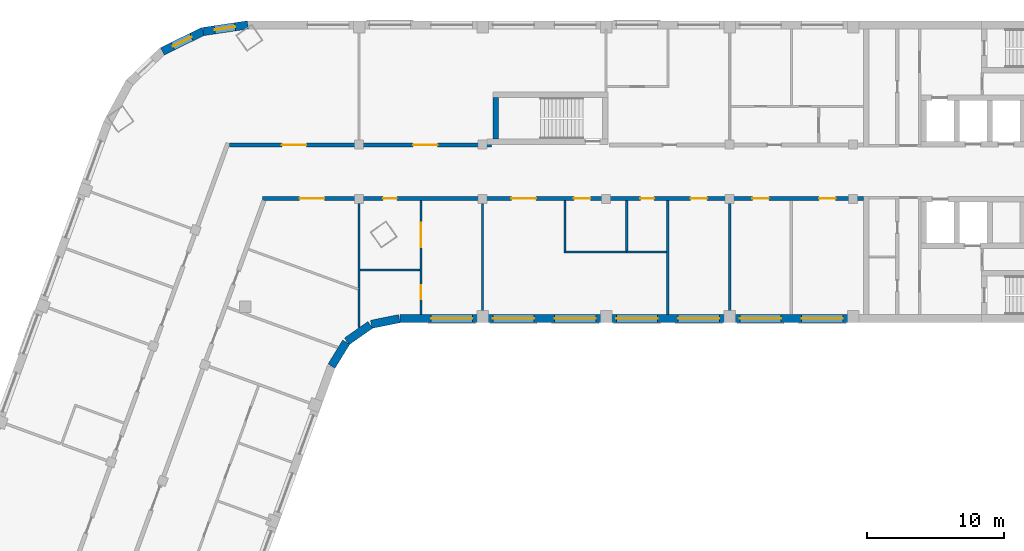
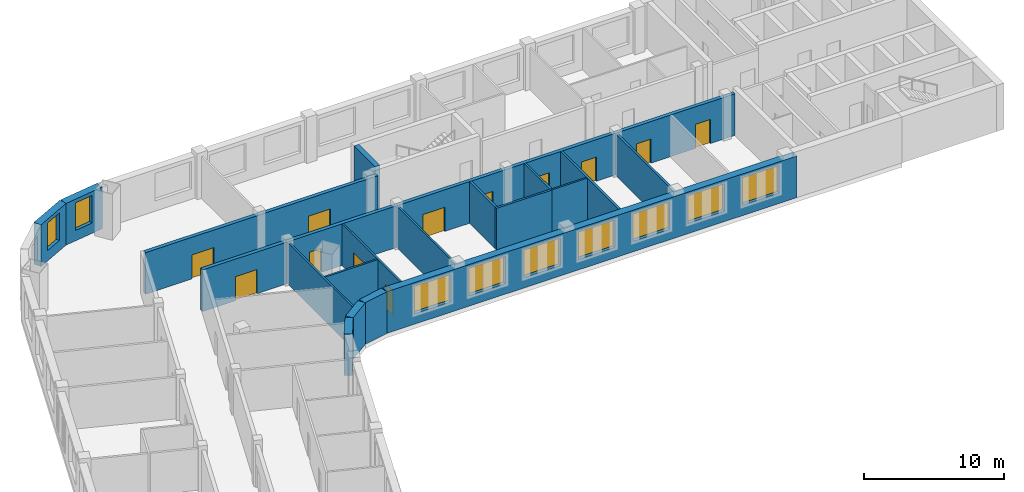
# One storey, part 4 of 8: 19 walls, 12 doors, 9 windows, 21 openings.
"""IFC4 building model written with IfcOpenShell, lengths in metres."""

from ifc_helpers import new_model, si_unit, direction, frame, frame_2d, origin, place, context, subcontext, project, spatial, rectangle, extrude, material, layer, layer_set, type_object, element, fill, save


model = new_model("IFC4")

# Units and contexts
model_context = context("Model", 3, precision=1e-05, world=origin(), true_north=direction((0.0, 1.0)))
body_context = subcontext(model_context, "Body", "Model", "MODEL_VIEW")
ifc_project = project(units=[si_unit("LENGTHUNIT", "METRE"), si_unit("AREAUNIT", "SQUARE_METRE"), si_unit("VOLUMEUNIT", "CUBIC_METRE"), si_unit("PLANEANGLEUNIT", "RADIAN"), si_unit("MASSUNIT", "GRAM", prefix="KILO")], contexts=[model_context])

# Site, building, storey
site_placement = place(None, origin())
site = spatial("IfcSite", under=ifc_project, at=site_placement, CompositionType="ELEMENT")
building_placement = place(site_placement, origin())
building = spatial("IfcBuilding", under=site, at=building_placement, Name="Skarvind Civic Tower", CompositionType="ELEMENT")
storey_placement = place(building_placement, frame((0.0, 0.0, 125.0)))
storey = spatial("IfcBuildingStorey", under=building, at=storey_placement, Name="L29", CompositionType="ELEMENT", Elevation=125.0)

# Walls
ifc_material_1 = material(Name="Acoustic gypsum board on steel studs", Category="steel")
ifc_layer_1 = layer(ifc_material_1, 0.175048828125)
ifc_layer_set_1 = layer_set([ifc_layer_1], Name="ACOUSTIC MEETING-ROOM PARTITION 175")
wall_type_1 = type_object("IfcWallType", Name="ACOUSTIC MEETING-ROOM PARTITION 175", PredefinedType="PARTITIONING", material=ifc_layer_set_1)
wall_1_placement = place(storey_placement, frame((69.25, 122.238037109375, 0.0), z_axis=(0.0, 0.0, 1.0), x_axis=(0.0, 1.0, 0.0)))
element("IfcWall", 1, at=wall_1_placement, inside=storey, type_object=wall_type_1, Name="Partition 29.023", PredefinedType="PARTITIONING", context=body_context, shape_type="SweptSolid", body=[
    extrude(rectangle(XDim=3.661865234375, YDim=0.175048828125, at=frame_2d((1.8310546875, 0.0))), origin(), (0.0, 0.0, 1.0), 3.625),
])
wall_2_placement = place(storey_placement, frame((73.75, 122.14990234375, 0.0), z_axis=(0.0, 0.0, 1.0), x_axis=(-1.0, 0.0, 0.0)))
element("IfcWall", 2, at=wall_2_placement, inside=storey, type_object=wall_type_1, Name="Partition 29.027", PredefinedType="PARTITIONING", context=body_context, shape_type="SweptSolid", body=[
    extrude(rectangle(XDim=4.587890625, YDim=0.175048828125, at=frame_2d((2.2939453125, 0.0))), origin(), (0.0, 0.0, 1.0), 3.625),
])
wall_3_placement = place(storey_placement, frame((73.75, 125.89990234375, 0.0), z_axis=(0.0, 0.0, 1.0), x_axis=(0.0, -1.0, 0.0)))
element("IfcWall", 3, at=wall_3_placement, inside=storey, type_object=wall_type_1, Name="Partition 29.028", PredefinedType="PARTITIONING", context=body_context, shape_type="SweptSolid", body=[
    extrude(rectangle(XDim=3.661865234375, YDim=0.175048828125, at=frame_2d((1.8310546875, 0.0))), origin(), (0.0, 0.0, 1.0), 3.625),
])
for number, where, z_axis, x_axis, name in (
    (4, (76.75, 117.60009765625, 0.0), (0.0, 0.0, 1.0), (0.0, 1.0, 0.0), "Partition 29.029"),
    (5, (81.25, 117.60009765625, 0.0), (0.0, 0.0, 1.0), (0.0, 1.0, 0.0), "Partition 29.032"),
):
    element("IfcWall", number, at=place(storey_placement, frame(where, z_axis=z_axis, x_axis=x_axis)), inside=storey, type_object=wall_type_1, Name=name, PredefinedType="PARTITIONING", context=body_context, shape_type="SweptSolid", body=[
        extrude(rectangle(XDim=8.2998046875, YDim=0.175048828125, at=frame_2d((4.14990234375, 0.0))), origin(), (0.0, 0.0, 1.0), 3.625),
    ])

# Wall, openings, doors
ifc_material_2 = material(Name="Fire-rated gypsum board on steel studs", Category="steel")
ifc_layer_2 = layer(ifc_material_2, 0.300048828125)
ifc_layer_set_2 = layer_set([ifc_layer_2], Name="CORRIDOR WALL 300")
wall_type_2 = type_object("IfcWallType", Name="CORRIDOR WALL 300", PredefinedType="PARTITIONING", material=ifc_layer_set_2)
wall_4_placement = place(storey_placement, frame((44.784912109375, 129.949951171875, 0.0), z_axis=(0.0, 0.0, 1.0), x_axis=(1.0, 0.0, 0.0)))
wall_4 = element("IfcWall", 6, at=wall_4_placement, inside=storey, type_object=wall_type_2, Name="Partition 29.014", PredefinedType="PARTITIONING", context=body_context, shape_type="SweptSolid", body=[
    extrude(rectangle(XDim=19.114990234375, YDim=0.300048828125, at=frame_2d((9.5576171875, 0.0))), origin(), (0.0, 0.0, 1.0), 3.625),
])
opening_1_placement = place(wall_4_placement, frame((13.389892578125, 0.0, 0.0)))
opening_1 = element("IfcOpeningElement", 7, at=opening_1_placement, cuts=wall_4, Name="Opening L29-D007", PredefinedType="OPENING", context=body_context, shape_type="SweptSolid", body=[
    extrude(rectangle(XDim=1.800048828125, YDim=2.10009765625, at=frame_2d((0.89990234375, 1.050048828125))), frame((0.0, 0.159912109375, 0.0), z_axis=(0.0, -1.0, 0.0), x_axis=(1.0, 0.0, 0.0)), (0.0, 0.0, 1.0), 0.320068359375),
])
opening_2_placement = place(wall_4_placement, frame((3.822509765625, 0.0, 0.0)))
opening_2 = element("IfcOpeningElement", 8, at=opening_2_placement, cuts=wall_4, Name="Opening L29-D028", PredefinedType="OPENING", context=body_context, shape_type="SweptSolid", body=[
    extrude(rectangle(XDim=1.800048828125, YDim=2.10009765625, at=frame_2d((0.89990234375, 1.050048828125))), frame((0.0, 0.159912109375, 0.0), z_axis=(0.0, -1.0, 0.0), x_axis=(1.0, 0.0, 0.0)), (0.0, 0.0, 1.0), 0.320068359375),
])
ifc_material_3 = material(Name="Fire-rated timber door leaf", Category="wood")
door_type_1 = type_object("IfcDoorType", Name="FD4 1800x2100", OperationType="NOTDEFINED", PredefinedType="DOOR", material=ifc_material_3)
door_1_placement = place(opening_1_placement, origin())
door_1 = element("IfcDoor", 9, at=door_1_placement, inside=storey, type_object=door_type_1, Name="Door L29-D007", OperationType="DOUBLE_DOOR_SINGLE_SWING", OverallHeight=2.10009765625, OverallWidth=1.800048828125, PredefinedType="DOOR", context=body_context, shape_type="SweptSolid", body=[
    extrude(rectangle(XDim=1.800048828125, YDim=2.10009765625, at=frame_2d((0.89990234375, 1.050048828125))), frame((0.0, 0.02490234375, 0.0), z_axis=(0.0, -1.0, 0.0), x_axis=(1.0, 0.0, 0.0)), (0.0, 0.0, 1.0), 0.050048828125),
])
fill(opening_1, door_1)
door_2_placement = place(opening_2_placement, origin())
door_2 = element("IfcDoor", 10, at=door_2_placement, inside=storey, type_object=door_type_1, Name="Door L29-D028", OperationType="DOUBLE_DOOR_SINGLE_SWING", OverallHeight=2.10009765625, OverallWidth=1.800048828125, PredefinedType="DOOR", context=body_context, shape_type="SweptSolid", body=[
    extrude(rectangle(XDim=1.800048828125, YDim=2.10009765625, at=frame_2d((0.89990234375, 1.050048828125))), frame((0.0, 0.02490234375, 0.0), z_axis=(0.0, -1.0, 0.0), x_axis=(1.0, 0.0, 0.0)), (0.0, 0.0, 1.0), 0.050048828125),
])
fill(opening_2, door_2)

wall_5_placement = place(storey_placement, frame((91.0, 126.050048828125, 0.0), z_axis=(0.0, 0.0, 1.0), x_axis=(-1.0, 0.0, 0.0)))
wall_5 = element("IfcWall", 11, at=wall_5_placement, inside=storey, type_object=wall_type_2, Name="Partition 29.038", PredefinedType="PARTITIONING", context=body_context, shape_type="SweptSolid", body=[
    extrude(rectangle(XDim=43.784912109375, YDim=0.300048828125, at=frame_2d((21.892578125, 0.0))), origin(), (0.0, 0.0, 1.0), 3.625),
])
opening_3_placement = place(wall_5_placement, frame((2.02490234375, 0.0, 0.0)))
opening_3 = element("IfcOpeningElement", 12, at=opening_3_placement, cuts=wall_5, Name="Opening L29-D008", PredefinedType="OPENING", context=body_context, shape_type="SweptSolid", body=[
    extrude(rectangle(XDim=1.199951171875, YDim=2.10009765625, at=frame_2d((0.60009765625, 1.050048828125))), frame((0.0, 0.159912109375, 0.0), z_axis=(0.0, -1.0, 0.0), x_axis=(1.0, 0.0, 0.0)), (0.0, 0.0, 1.0), 0.320068359375),
])
opening_4_placement = place(wall_5_placement, frame((6.89990234375, 0.0, 0.0)))
opening_4 = element("IfcOpeningElement", 13, at=opening_4_placement, cuts=wall_5, Name="Opening L29-D009", PredefinedType="OPENING", context=body_context, shape_type="SweptSolid", body=[
    extrude(rectangle(XDim=1.199951171875, YDim=2.10009765625, at=frame_2d((0.60009765625, 1.050048828125))), frame((0.0, 0.159912109375, 0.0), z_axis=(0.0, -1.0, 0.0), x_axis=(1.0, 0.0, 0.0)), (0.0, 0.0, 1.0), 0.320068359375),
])
opening_5_placement = place(wall_5_placement, frame((11.39990234375, 0.0, 0.0)))
opening_5 = element("IfcOpeningElement", 14, at=opening_5_placement, cuts=wall_5, Name="Opening L29-D010", PredefinedType="OPENING", context=body_context, shape_type="SweptSolid", body=[
    extrude(rectangle(XDim=1.199951171875, YDim=2.10009765625, at=frame_2d((0.60009765625, 1.050048828125))), frame((0.0, 0.159912109375, 0.0), z_axis=(0.0, -1.0, 0.0), x_axis=(1.0, 0.0, 0.0)), (0.0, 0.0, 1.0), 0.320068359375),
])
opening_6_placement = place(wall_5_placement, frame((15.25, 0.0, 0.0)))
opening_6 = element("IfcOpeningElement", 15, at=opening_6_placement, cuts=wall_5, Name="Opening L29-D011", PredefinedType="OPENING", context=body_context, shape_type="SweptSolid", body=[
    extrude(rectangle(XDim=1.0, YDim=2.10009765625, at=frame_2d((0.5, 1.050048828125))), frame((0.0, 0.159912109375, 0.0), z_axis=(0.0, -1.0, 0.0), x_axis=(1.0, 0.0, 0.0)), (0.0, 0.0, 1.0), 0.320068359375),
])
opening_7_placement = place(wall_5_placement, frame((19.89990234375, 0.0, 0.0)))
opening_7 = element("IfcOpeningElement", 16, at=opening_7_placement, cuts=wall_5, Name="Opening L29-D012", PredefinedType="OPENING", context=body_context, shape_type="SweptSolid", body=[
    extrude(rectangle(XDim=1.199951171875, YDim=2.10009765625, at=frame_2d((0.60009765625, 1.050048828125))), frame((0.0, 0.159912109375, 0.0), z_axis=(0.0, -1.0, 0.0), x_axis=(1.0, 0.0, 0.0)), (0.0, 0.0, 1.0), 0.320068359375),
])
opening_8_placement = place(wall_5_placement, frame((23.85009765625, 0.0, 0.0)))
opening_8 = element("IfcOpeningElement", 17, at=opening_8_placement, cuts=wall_5, Name="Opening L29-D013", PredefinedType="OPENING", context=body_context, shape_type="SweptSolid", body=[
    extrude(rectangle(XDim=1.800048828125, YDim=2.10009765625, at=frame_2d((0.89990234375, 1.050048828125))), frame((0.0, 0.159912109375, 0.0), z_axis=(0.0, -1.0, 0.0), x_axis=(1.0, 0.0, 0.0)), (0.0, 0.0, 1.0), 0.320068359375),
])
opening_9_placement = place(wall_5_placement, frame((34.0, 0.0, 0.0)))
opening_9 = element("IfcOpeningElement", 18, at=opening_9_placement, cuts=wall_5, Name="Opening L29-D014", PredefinedType="OPENING", context=body_context, shape_type="SweptSolid", body=[
    extrude(rectangle(XDim=1.0, YDim=2.10009765625, at=frame_2d((0.5, 1.050048828125))), frame((0.0, 0.159912109375, 0.0), z_axis=(0.0, -1.0, 0.0), x_axis=(1.0, 0.0, 0.0)), (0.0, 0.0, 1.0), 0.320068359375),
])
opening_10_placement = place(wall_5_placement, frame((39.2958984375, 0.0, 0.0)))
opening_10 = element("IfcOpeningElement", 19, at=opening_10_placement, cuts=wall_5, Name="Opening L29-D029", PredefinedType="OPENING", context=body_context, shape_type="SweptSolid", body=[
    extrude(rectangle(XDim=1.800048828125, YDim=2.10009765625, at=frame_2d((0.89990234375, 1.050048828125))), frame((0.0, 0.159912109375, 0.0), z_axis=(0.0, -1.0, 0.0), x_axis=(1.0, 0.0, 0.0)), (0.0, 0.0, 1.0), 0.320068359375),
])
door_type_2 = type_object("IfcDoorType", Name="FD1 1000x2100", OperationType="NOTDEFINED", PredefinedType="DOOR", material=ifc_material_3)
door_3_placement = place(opening_6_placement, origin())
door_3 = element("IfcDoor", 20, at=door_3_placement, inside=storey, type_object=door_type_2, Name="Door L29-D011", OperationType="SINGLE_SWING_LEFT", OverallHeight=2.10009765625, OverallWidth=1.0, PredefinedType="DOOR", context=body_context, shape_type="SweptSolid", body=[
    extrude(rectangle(XDim=1.0, YDim=2.10009765625, at=frame_2d((0.5, 1.050048828125))), frame((0.0, 0.02490234375, 0.0), z_axis=(0.0, -1.0, 0.0), x_axis=(1.0, 0.0, 0.0)), (0.0, 0.0, 1.0), 0.050048828125),
])
fill(opening_6, door_3)
door_4_placement = place(opening_9_placement, origin())
door_4 = element("IfcDoor", 21, at=door_4_placement, inside=storey, type_object=door_type_2, Name="Door L29-D014", OperationType="SINGLE_SWING_LEFT", OverallHeight=2.10009765625, OverallWidth=1.0, PredefinedType="DOOR", context=body_context, shape_type="SweptSolid", body=[
    extrude(rectangle(XDim=1.0, YDim=2.10009765625, at=frame_2d((0.5, 1.050048828125))), frame((0.0, 0.02490234375, 0.0), z_axis=(0.0, -1.0, 0.0), x_axis=(1.0, 0.0, 0.0)), (0.0, 0.0, 1.0), 0.050048828125),
])
fill(opening_9, door_4)
door_5_placement = place(opening_8_placement, origin())
door_5 = element("IfcDoor", 22, at=door_5_placement, inside=storey, type_object=door_type_1, Name="Door L29-D013", OperationType="DOUBLE_DOOR_SINGLE_SWING", OverallHeight=2.10009765625, OverallWidth=1.800048828125, PredefinedType="DOOR", context=body_context, shape_type="SweptSolid", body=[
    extrude(rectangle(XDim=1.800048828125, YDim=2.10009765625, at=frame_2d((0.89990234375, 1.050048828125))), frame((0.0, 0.02490234375, 0.0), z_axis=(0.0, -1.0, 0.0), x_axis=(1.0, 0.0, 0.0)), (0.0, 0.0, 1.0), 0.050048828125),
])
fill(opening_8, door_5)
door_6_placement = place(opening_10_placement, origin())
door_6 = element("IfcDoor", 23, at=door_6_placement, inside=storey, type_object=door_type_1, Name="Door L29-D029", OperationType="DOUBLE_DOOR_SINGLE_SWING", OverallHeight=2.10009765625, OverallWidth=1.800048828125, PredefinedType="DOOR", context=body_context, shape_type="SweptSolid", body=[
    extrude(rectangle(XDim=1.800048828125, YDim=2.10009765625, at=frame_2d((0.89990234375, 1.050048828125))), frame((0.0, 0.02490234375, 0.0), z_axis=(0.0, -1.0, 0.0), x_axis=(1.0, 0.0, 0.0)), (0.0, 0.0, 1.0), 0.050048828125),
])
fill(opening_10, door_6)
door_type_3 = type_object("IfcDoorType", Name="FD6 1200x2100 DOUBLE", OperationType="NOTDEFINED", PredefinedType="DOOR", material=ifc_material_3)
door_7_placement = place(opening_3_placement, origin())
door_7 = element("IfcDoor", 24, at=door_7_placement, inside=storey, type_object=door_type_3, Name="Door L29-D008", OperationType="DOUBLE_DOOR_SINGLE_SWING", OverallHeight=2.10009765625, OverallWidth=1.199951171875, PredefinedType="DOOR", context=body_context, shape_type="SweptSolid", body=[
    extrude(rectangle(XDim=1.199951171875, YDim=2.10009765625, at=frame_2d((0.60009765625, 1.050048828125))), frame((0.0, 0.02490234375, 0.0), z_axis=(0.0, -1.0, 0.0), x_axis=(1.0, 0.0, 0.0)), (0.0, 0.0, 1.0), 0.050048828125),
])
fill(opening_3, door_7)
door_8_placement = place(opening_4_placement, origin())
door_8 = element("IfcDoor", 25, at=door_8_placement, inside=storey, type_object=door_type_3, Name="Door L29-D009", OperationType="DOUBLE_DOOR_SINGLE_SWING", OverallHeight=2.10009765625, OverallWidth=1.199951171875, PredefinedType="DOOR", context=body_context, shape_type="SweptSolid", body=[
    extrude(rectangle(XDim=1.199951171875, YDim=2.10009765625, at=frame_2d((0.60009765625, 1.050048828125))), frame((0.0, 0.02490234375, 0.0), z_axis=(0.0, -1.0, 0.0), x_axis=(1.0, 0.0, 0.0)), (0.0, 0.0, 1.0), 0.050048828125),
])
fill(opening_4, door_8)
door_9_placement = place(opening_5_placement, origin())
door_9 = element("IfcDoor", 26, at=door_9_placement, inside=storey, type_object=door_type_3, Name="Door L29-D010", OperationType="DOUBLE_DOOR_SINGLE_SWING", OverallHeight=2.10009765625, OverallWidth=1.199951171875, PredefinedType="DOOR", context=body_context, shape_type="SweptSolid", body=[
    extrude(rectangle(XDim=1.199951171875, YDim=2.10009765625, at=frame_2d((0.60009765625, 1.050048828125))), frame((0.0, 0.02490234375, 0.0), z_axis=(0.0, -1.0, 0.0), x_axis=(1.0, 0.0, 0.0)), (0.0, 0.0, 1.0), 0.050048828125),
])
fill(opening_5, door_9)
door_10_placement = place(opening_7_placement, origin())
door_10 = element("IfcDoor", 27, at=door_10_placement, inside=storey, type_object=door_type_3, Name="Door L29-D012", OperationType="DOUBLE_DOOR_SINGLE_SWING", OverallHeight=2.10009765625, OverallWidth=1.199951171875, PredefinedType="DOOR", context=body_context, shape_type="SweptSolid", body=[
    extrude(rectangle(XDim=1.199951171875, YDim=2.10009765625, at=frame_2d((0.60009765625, 1.050048828125))), frame((0.0, 0.02490234375, 0.0), z_axis=(0.0, -1.0, 0.0), x_axis=(1.0, 0.0, 0.0)), (0.0, 0.0, 1.0), 0.050048828125),
])
fill(opening_7, door_10)

# Walls
ifc_material_4 = material(Name="Concrete C80", Category="concrete")
ifc_layer_3 = layer(ifc_material_4, 0.39990234375)
ifc_layer_set_3 = layer_set([ifc_layer_3], Name="Core wall 400 C80")
wall_type_3 = type_object("IfcWallType", Name="Core wall 400 C80", PredefinedType="SHEAR", material=ifc_layer_set_3)
wall_6_placement = place(storey_placement, frame((64.199951171875, 130.39990234375, 0.0), z_axis=(0.0, 0.0, 1.0), x_axis=(0.0, 1.0, 0.0)))
element("IfcWall", 28, at=wall_6_placement, inside=storey, type_object=wall_type_3, Name="Core wall CM west L29", PredefinedType="SHEAR", context=body_context, shape_type="SweptSolid", body=[
    extrude(rectangle(XDim=3.0, YDim=0.39990234375, at=frame_2d((1.5, 0.0))), origin(), (0.0, 0.0, 1.0), 4.0),
])
ifc_material_5 = material(Name="Plasterboard partition on steel studs", Category="steel")
ifc_layer_4 = layer(ifc_material_5, 0.14990234375)
ifc_layer_set_4 = layer_set([ifc_layer_4], Name="PARTITION 150")
wall_type_4 = type_object("IfcWallType", Name="PARTITION 150", PredefinedType="PARTITIONING", material=ifc_layer_set_4)
wall_7_placement = place(storey_placement, frame((54.25, 116.636962890625, 0.0), z_axis=(0.0, 0.0, 1.0), x_axis=(0.0, 1.0, 0.0)))
element("IfcWall", 29, at=wall_7_placement, inside=storey, type_object=wall_type_4, Name="Partition 29.017", PredefinedType="PARTITIONING", context=body_context, shape_type="SweptSolid", body=[
    extrude(rectangle(XDim=9.262939453125, YDim=0.14990234375, at=frame_2d((4.63134765625, 0.0))), origin(), (0.0, 0.0, 1.0), 3.625),
])
wall_8_placement = place(storey_placement, frame((54.324951171875, 120.85009765625, 0.0), z_axis=(0.0, 0.0, 1.0), x_axis=(1.0, 0.0, 0.0)))
element("IfcWall", 30, at=wall_8_placement, inside=storey, type_object=wall_type_4, Name="Partition 29.019", PredefinedType="PARTITIONING", context=body_context, shape_type="SweptSolid", body=[
    extrude(rectangle(XDim=4.35009765625, YDim=0.14990234375, at=frame_2d((2.175048828125, 0.0))), origin(), (0.0, 0.0, 1.0), 3.625),
])

# Wall, openings, doors
wall_9_placement = place(storey_placement, frame((58.75, 117.60009765625, 0.0), z_axis=(0.0, 0.0, 1.0), x_axis=(0.0, 1.0, 0.0)))
wall_9 = element("IfcWall", 31, at=wall_9_placement, inside=storey, type_object=wall_type_4, Name="Partition 29.021", PredefinedType="PARTITIONING", context=body_context, shape_type="SweptSolid", body=[
    extrude(rectangle(XDim=8.2998046875, YDim=0.14990234375, at=frame_2d((4.14990234375, 0.0))), origin(), (0.0, 0.0, 1.0), 3.625),
])
opening_11_placement = place(wall_9_placement, frame((1.125, 0.0, 0.0)))
opening_11 = element("IfcOpeningElement", 32, at=opening_11_placement, cuts=wall_9, Name="Opening L29-D015", PredefinedType="OPENING", context=body_context, shape_type="SweptSolid", body=[
    extrude(rectangle(XDim=1.0, YDim=2.10009765625, at=frame_2d((0.5, 1.050048828125))), frame((0.0, 0.0849609375, 0.0), z_axis=(0.0, -1.0, 0.0), x_axis=(1.0, 0.0, 0.0)), (0.0, 0.0, 1.0), 0.169921875),
])
opening_12_placement = place(wall_9_placement, frame((4.883544921875, 0.0, 0.0)))
opening_12 = element("IfcOpeningElement", 33, at=opening_12_placement, cuts=wall_9, Name="Opening L29-D016", PredefinedType="OPENING", context=body_context, shape_type="SweptSolid", body=[
    extrude(rectangle(XDim=1.800048828125, YDim=2.10009765625, at=frame_2d((0.89990234375, 1.050048828125))), frame((0.0, 0.0849609375, 0.0), z_axis=(0.0, -1.0, 0.0), x_axis=(1.0, 0.0, 0.0)), (0.0, 0.0, 1.0), 0.169921875),
])
ifc_material_6 = material(Name="Timber door leaf", Category="wood")
door_type_4 = type_object("IfcDoorType", Name="D1 1000x2100", OperationType="NOTDEFINED", PredefinedType="DOOR", material=ifc_material_6)
door_11_placement = place(opening_11_placement, origin())
door_11 = element("IfcDoor", 34, at=door_11_placement, inside=storey, type_object=door_type_4, Name="Door L29-D015", OperationType="SINGLE_SWING_RIGHT", OverallHeight=2.10009765625, OverallWidth=1.0, PredefinedType="DOOR", context=body_context, shape_type="SweptSolid", body=[
    extrude(rectangle(XDim=1.0, YDim=2.10009765625, at=frame_2d((0.5, 1.050048828125))), frame((0.0, 0.02490234375, 0.0), z_axis=(0.0, -1.0, 0.0), x_axis=(1.0, 0.0, 0.0)), (0.0, 0.0, 1.0), 0.050048828125),
])
fill(opening_11, door_11)
door_type_5 = type_object("IfcDoorType", Name="D4 1800x2100", OperationType="NOTDEFINED", PredefinedType="DOOR", material=ifc_material_6)
door_12_placement = place(opening_12_placement, origin())
door_12 = element("IfcDoor", 35, at=door_12_placement, inside=storey, type_object=door_type_5, Name="Door L29-D016", OperationType="DOUBLE_DOOR_SINGLE_SWING", OverallHeight=2.10009765625, OverallWidth=1.800048828125, PredefinedType="DOOR", context=body_context, shape_type="SweptSolid", body=[
    extrude(rectangle(XDim=1.800048828125, YDim=2.10009765625, at=frame_2d((0.89990234375, 1.050048828125))), frame((0.0, 0.02490234375, 0.0), z_axis=(0.0, -1.0, 0.0), x_axis=(1.0, 0.0, 0.0)), (0.0, 0.0, 1.0), 0.050048828125),
])
fill(opening_12, door_12)

# Walls
wall_10_placement = place(storey_placement, frame((63.25, 117.60009765625, 0.0), z_axis=(0.0, 0.0, 1.0), x_axis=(0.0, 1.0, 0.0)))
element("IfcWall", 36, at=wall_10_placement, inside=storey, type_object=wall_type_4, Name="Partition 29.022", PredefinedType="PARTITIONING", context=body_context, shape_type="SweptSolid", body=[
    extrude(rectangle(XDim=8.2998046875, YDim=0.14990234375, at=frame_2d((4.14990234375, 0.0))), origin(), (0.0, 0.0, 1.0), 3.625),
])
wall_11_placement = place(storey_placement, frame((76.662109375, 122.14990234375, 0.0), z_axis=(0.0, 0.0, 1.0), x_axis=(-1.0, 0.0, 0.0)))
element("IfcWall", 37, at=wall_11_placement, inside=storey, type_object=wall_type_4, Name="Partition 29.030", PredefinedType="PARTITIONING", context=body_context, shape_type="SweptSolid", body=[
    extrude(rectangle(XDim=2.912109375, YDim=0.14990234375, at=frame_2d((1.4560546875, 0.0))), origin(), (0.0, 0.0, 1.0), 3.625),
])
ifc_material_7 = material(Name="Limestone masonry cladding on insulated backing", Category="masonry")
ifc_layer_5 = layer(ifc_material_7, 0.60009765625)
ifc_layer_set_5 = layer_set([ifc_layer_5], Name="WX1 STONE FACADE WALL 600")
wall_type_5 = type_object("IfcWallType", Name="WX1 STONE FACADE WALL 600", PredefinedType="SOLIDWALL", material=ifc_layer_set_5)
wall_12_placement = place(storey_placement, frame((53.30517578125, 115.578369140625, 0.0), z_axis=(0.0, 0.0, 1.0), x_axis=(-0.522402266438, -0.852699168535, 0.0)))
element("IfcWall", 38, at=wall_12_placement, inside=storey, type_object=wall_type_5, Name="STONE FACADE WALL", PredefinedType="SOLIDWALL", context=body_context, shape_type="SweptSolid", body=[
    extrude(rectangle(XDim=2.042236328125, YDim=0.60009765625, at=frame_2d((1.02099609375, 0.0))), origin(), (0.0, 0.0, 1.0), 3.625),
])
for number, where, z_axis, x_axis, name in (
    (39, (55.061767578125, 116.8388671875, 0.0), (0.0, 0.0, 1.0), (-0.819122269495, -0.573618956815, 0.0), "STONE FACADE WALL"),
    (40, (57.17529296875, 117.2939453125, 0.0), (0.0, 0.0, 1.0), (-0.97996099083, -0.19918949885, 0.0), "STONE FACADE WALL"),
):
    element("IfcWall", number, at=place(storey_placement, frame(where, z_axis=z_axis, x_axis=x_axis)), inside=storey, type_object=wall_type_5, Name=name, PredefinedType="SOLIDWALL", context=body_context, shape_type="SweptSolid", body=[
        extrude(rectangle(XDim=2.09228515625, YDim=0.60009765625, at=frame_2d((1.046142578125, 0.0))), origin(), (0.0, 0.0, 1.0), 3.625),
    ])

# Wall, openings, windows
wall_13_placement = place(storey_placement, frame((90.97998046875, 117.300048828125, 0.0), z_axis=(0.0, 0.0, 1.0), x_axis=(-1.0, 0.0, 0.0)))
wall_13 = element("IfcWall", 41, at=wall_13_placement, inside=storey, type_object=wall_type_5, Name="STONE FACADE WALL", PredefinedType="SOLIDWALL", context=body_context, shape_type="SweptSolid", body=[
    extrude(rectangle(XDim=33.744873046875, YDim=0.60009765625, at=frame_2d((16.87255859375, 0.0))), origin(), (0.0, 0.0, 1.0), 3.625),
])
opening_13_placement = place(wall_13_placement, frame((1.47998046875, 0.0, 0.89990234375)))
opening_13 = element("IfcOpeningElement", 42, at=opening_13_placement, cuts=wall_13, Name="Opening WN1", PredefinedType="OPENING", context=body_context, shape_type="SweptSolid", body=[
    extrude(rectangle(XDim=3.0, YDim=2.39990234375, at=frame_2d((1.5, 1.199951171875))), frame((0.0, 0.31005859375, 0.0), z_axis=(0.0, -1.0, 0.0), x_axis=(1.0, 0.0, 0.0)), (0.0, 0.0, 1.0), 0.6201171875),
])
opening_14_placement = place(wall_13_placement, frame((5.97998046875, 0.0, 0.89990234375)))
opening_14 = element("IfcOpeningElement", 43, at=opening_14_placement, cuts=wall_13, Name="Opening WN1", PredefinedType="OPENING", context=body_context, shape_type="SweptSolid", body=[
    extrude(rectangle(XDim=3.0, YDim=2.39990234375, at=frame_2d((1.5, 1.199951171875))), frame((0.0, 0.31005859375, 0.0), z_axis=(0.0, -1.0, 0.0), x_axis=(1.0, 0.0, 0.0)), (0.0, 0.0, 1.0), 0.6201171875),
])
opening_15_placement = place(wall_13_placement, frame((10.47998046875, 0.0, 0.89990234375)))
opening_15 = element("IfcOpeningElement", 44, at=opening_15_placement, cuts=wall_13, Name="Opening WN1", PredefinedType="OPENING", context=body_context, shape_type="SweptSolid", body=[
    extrude(rectangle(XDim=3.0, YDim=2.39990234375, at=frame_2d((1.5, 1.199951171875))), frame((0.0, 0.31005859375, 0.0), z_axis=(0.0, -1.0, 0.0), x_axis=(1.0, 0.0, 0.0)), (0.0, 0.0, 1.0), 0.6201171875),
])
opening_16_placement = place(wall_13_placement, frame((14.97998046875, 0.0, 0.89990234375)))
opening_16 = element("IfcOpeningElement", 45, at=opening_16_placement, cuts=wall_13, Name="Opening WN1", PredefinedType="OPENING", context=body_context, shape_type="SweptSolid", body=[
    extrude(rectangle(XDim=3.0, YDim=2.39990234375, at=frame_2d((1.5, 1.199951171875))), frame((0.0, 0.31005859375, 0.0), z_axis=(0.0, -1.0, 0.0), x_axis=(1.0, 0.0, 0.0)), (0.0, 0.0, 1.0), 0.6201171875),
])
opening_17_placement = place(wall_13_placement, frame((19.47998046875, 0.0, 0.89990234375)))
opening_17 = element("IfcOpeningElement", 46, at=opening_17_placement, cuts=wall_13, Name="Opening WN1", PredefinedType="OPENING", context=body_context, shape_type="SweptSolid", body=[
    extrude(rectangle(XDim=3.0, YDim=2.39990234375, at=frame_2d((1.5, 1.199951171875))), frame((0.0, 0.31005859375, 0.0), z_axis=(0.0, -1.0, 0.0), x_axis=(1.0, 0.0, 0.0)), (0.0, 0.0, 1.0), 0.6201171875),
])
opening_18_placement = place(wall_13_placement, frame((23.97998046875, 0.0, 0.89990234375)))
opening_18 = element("IfcOpeningElement", 47, at=opening_18_placement, cuts=wall_13, Name="Opening WN1", PredefinedType="OPENING", context=body_context, shape_type="SweptSolid", body=[
    extrude(rectangle(XDim=3.0, YDim=2.39990234375, at=frame_2d((1.5, 1.199951171875))), frame((0.0, 0.31005859375, 0.0), z_axis=(0.0, -1.0, 0.0), x_axis=(1.0, 0.0, 0.0)), (0.0, 0.0, 1.0), 0.6201171875),
])
opening_19_placement = place(wall_13_placement, frame((28.47998046875, 0.0, 0.89990234375)))
opening_19 = element("IfcOpeningElement", 48, at=opening_19_placement, cuts=wall_13, Name="Opening WN1", PredefinedType="OPENING", context=body_context, shape_type="SweptSolid", body=[
    extrude(rectangle(XDim=3.0, YDim=2.39990234375, at=frame_2d((1.5, 1.199951171875))), frame((0.0, 0.31005859375, 0.0), z_axis=(0.0, -1.0, 0.0), x_axis=(1.0, 0.0, 0.0)), (0.0, 0.0, 1.0), 0.6201171875),
])
ifc_material_8 = material(Name="Timber frame, double glazing, timber-lined reveal", Category="wood")
window_type_1 = type_object("IfcWindowType", Name="WN1 PUNCHED STONE WINDOW 3000 x 2400", PartitioningType="SINGLE_PANEL", PredefinedType="WINDOW", material=ifc_material_8)
window_1_placement = place(opening_13_placement, origin())
window_1 = element("IfcWindow", 49, at=window_1_placement, inside=storey, type_object=window_type_1, Name="WN1 WINDOW", OverallHeight=2.39990234375, OverallWidth=3.0, PartitioningType="SINGLE_PANEL", PredefinedType="WINDOW", context=body_context, shape_type="SweptSolid", body=[
    extrude(rectangle(XDim=3.0, YDim=2.39990234375, at=frame_2d((1.5, 1.199951171875))), frame((0.0, 0.030029296875, 0.0), z_axis=(0.0, -1.0, 0.0), x_axis=(1.0, 0.0, 0.0)), (0.0, 0.0, 1.0), 0.06005859375),
])
fill(opening_13, window_1)
window_2_placement = place(opening_14_placement, origin())
window_2 = element("IfcWindow", 50, at=window_2_placement, inside=storey, type_object=window_type_1, Name="WN1 WINDOW", OverallHeight=2.39990234375, OverallWidth=3.0, PartitioningType="SINGLE_PANEL", PredefinedType="WINDOW", context=body_context, shape_type="SweptSolid", body=[
    extrude(rectangle(XDim=3.0, YDim=2.39990234375, at=frame_2d((1.5, 1.199951171875))), frame((0.0, 0.030029296875, 0.0), z_axis=(0.0, -1.0, 0.0), x_axis=(1.0, 0.0, 0.0)), (0.0, 0.0, 1.0), 0.06005859375),
])
fill(opening_14, window_2)
window_3_placement = place(opening_15_placement, origin())
window_3 = element("IfcWindow", 51, at=window_3_placement, inside=storey, type_object=window_type_1, Name="WN1 WINDOW", OverallHeight=2.39990234375, OverallWidth=3.0, PartitioningType="SINGLE_PANEL", PredefinedType="WINDOW", context=body_context, shape_type="SweptSolid", body=[
    extrude(rectangle(XDim=3.0, YDim=2.39990234375, at=frame_2d((1.5, 1.199951171875))), frame((0.0, 0.030029296875, 0.0), z_axis=(0.0, -1.0, 0.0), x_axis=(1.0, 0.0, 0.0)), (0.0, 0.0, 1.0), 0.06005859375),
])
fill(opening_15, window_3)
window_4_placement = place(opening_16_placement, origin())
window_4 = element("IfcWindow", 52, at=window_4_placement, inside=storey, type_object=window_type_1, Name="WN1 WINDOW", OverallHeight=2.39990234375, OverallWidth=3.0, PartitioningType="SINGLE_PANEL", PredefinedType="WINDOW", context=body_context, shape_type="SweptSolid", body=[
    extrude(rectangle(XDim=3.0, YDim=2.39990234375, at=frame_2d((1.5, 1.199951171875))), frame((0.0, 0.030029296875, 0.0), z_axis=(0.0, -1.0, 0.0), x_axis=(1.0, 0.0, 0.0)), (0.0, 0.0, 1.0), 0.06005859375),
])
fill(opening_16, window_4)
window_5_placement = place(opening_17_placement, origin())
window_5 = element("IfcWindow", 53, at=window_5_placement, inside=storey, type_object=window_type_1, Name="WN1 WINDOW", OverallHeight=2.39990234375, OverallWidth=3.0, PartitioningType="SINGLE_PANEL", PredefinedType="WINDOW", context=body_context, shape_type="SweptSolid", body=[
    extrude(rectangle(XDim=3.0, YDim=2.39990234375, at=frame_2d((1.5, 1.199951171875))), frame((0.0, 0.030029296875, 0.0), z_axis=(0.0, -1.0, 0.0), x_axis=(1.0, 0.0, 0.0)), (0.0, 0.0, 1.0), 0.06005859375),
])
fill(opening_17, window_5)
window_6_placement = place(opening_18_placement, origin())
window_6 = element("IfcWindow", 54, at=window_6_placement, inside=storey, type_object=window_type_1, Name="WN1 WINDOW", OverallHeight=2.39990234375, OverallWidth=3.0, PartitioningType="SINGLE_PANEL", PredefinedType="WINDOW", context=body_context, shape_type="SweptSolid", body=[
    extrude(rectangle(XDim=3.0, YDim=2.39990234375, at=frame_2d((1.5, 1.199951171875))), frame((0.0, 0.030029296875, 0.0), z_axis=(0.0, -1.0, 0.0), x_axis=(1.0, 0.0, 0.0)), (0.0, 0.0, 1.0), 0.06005859375),
])
fill(opening_18, window_6)
window_7_placement = place(opening_19_placement, origin())
window_7 = element("IfcWindow", 55, at=window_7_placement, inside=storey, type_object=window_type_1, Name="WN1 WINDOW", OverallHeight=2.39990234375, OverallWidth=3.0, PartitioningType="SINGLE_PANEL", PredefinedType="WINDOW", context=body_context, shape_type="SweptSolid", body=[
    extrude(rectangle(XDim=3.0, YDim=2.39990234375, at=frame_2d((1.5, 1.199951171875))), frame((0.0, 0.030029296875, 0.0), z_axis=(0.0, -1.0, 0.0), x_axis=(1.0, 0.0, 0.0)), (0.0, 0.0, 1.0), 0.06005859375),
])
fill(opening_19, window_7)

# Wall, opening, window
wall_14_placement = place(storey_placement, frame((42.872802734375, 138.21728515625, 0.0), z_axis=(0.0, 0.0, 1.0), x_axis=(0.989110792192, 0.14717282619, 0.0)))
wall_14 = element("IfcWall", 56, at=wall_14_placement, inside=storey, type_object=wall_type_5, Name="STONE FACADE WALL", PredefinedType="SOLIDWALL", context=body_context, shape_type="SweptSolid", body=[
    extrude(rectangle(XDim=3.302734375, YDim=0.60009765625, at=frame_2d((1.6513671875, 0.0))), origin(), (0.0, 0.0, 1.0), 3.625),
])
opening_20_placement = place(wall_14_placement, frame((0.8564453125, 0.0, 0.89990234375)))
opening_20 = element("IfcOpeningElement", 57, at=opening_20_placement, cuts=wall_14, Name="Opening WN8", PredefinedType="OPENING", context=body_context, shape_type="SweptSolid", body=[
    extrude(rectangle(XDim=1.5, YDim=2.39990234375, at=frame_2d((0.75, 1.199951171875))), frame((0.0, 0.31005859375, 0.0), z_axis=(0.0, -1.0, 0.0), x_axis=(1.0, 0.0, 0.0)), (0.0, 0.0, 1.0), 0.6201171875),
])
window_type_2 = type_object("IfcWindowType", Name="WN8 ARC BAY WINDOW 1500 x 2400", PartitioningType="SINGLE_PANEL", PredefinedType="WINDOW", material=ifc_material_8)
window_8_placement = place(opening_20_placement, origin())
window_8 = element("IfcWindow", 58, at=window_8_placement, inside=storey, type_object=window_type_2, Name="WN8 WINDOW", OverallHeight=2.39990234375, OverallWidth=1.5, PartitioningType="SINGLE_PANEL", PredefinedType="WINDOW", context=body_context, shape_type="SweptSolid", body=[
    extrude(rectangle(XDim=1.5, YDim=2.39990234375, at=frame_2d((0.75, 1.199951171875))), frame((0.0, 0.030029296875, 0.0), z_axis=(0.0, -1.0, 0.0), x_axis=(1.0, 0.0, 0.0)), (0.0, 0.0, 1.0), 0.06005859375),
])
fill(opening_20, window_8)

wall_15_placement = place(storey_placement, frame((39.9072265625, 136.77587890625, 0.0), z_axis=(0.0, 0.0, 1.0), x_axis=(0.89761231107, 0.440785819889, 0.0)))
wall_15 = element("IfcWall", 59, at=wall_15_placement, inside=storey, type_object=wall_type_5, Name="STONE FACADE WALL", PredefinedType="SOLIDWALL", context=body_context, shape_type="SweptSolid", body=[
    extrude(rectangle(XDim=3.302734375, YDim=0.60009765625, at=frame_2d((1.6513671875, 0.0))), origin(), (0.0, 0.0, 1.0), 3.625),
])
opening_21_placement = place(wall_15_placement, frame((0.8564453125, 0.0, 0.89990234375)))
opening_21 = element("IfcOpeningElement", 60, at=opening_21_placement, cuts=wall_15, Name="Opening WN8", PredefinedType="OPENING", context=body_context, shape_type="SweptSolid", body=[
    extrude(rectangle(XDim=1.5, YDim=2.39990234375, at=frame_2d((0.75, 1.199951171875))), frame((0.0, 0.31005859375, 0.0), z_axis=(0.0, -1.0, 0.0), x_axis=(1.0, 0.0, 0.0)), (0.0, 0.0, 1.0), 0.6201171875),
])
window_9_placement = place(opening_21_placement, origin())
window_9 = element("IfcWindow", 61, at=window_9_placement, inside=storey, type_object=window_type_2, Name="WN8 WINDOW", OverallHeight=2.39990234375, OverallWidth=1.5, PartitioningType="SINGLE_PANEL", PredefinedType="WINDOW", context=body_context, shape_type="SweptSolid", body=[
    extrude(rectangle(XDim=1.5, YDim=2.39990234375, at=frame_2d((0.75, 1.199951171875))), frame((0.0, 0.030029296875, 0.0), z_axis=(0.0, -1.0, 0.0), x_axis=(1.0, 0.0, 0.0)), (0.0, 0.0, 1.0), 0.06005859375),
])
fill(opening_21, window_9)

save(model, "model.ifc")
